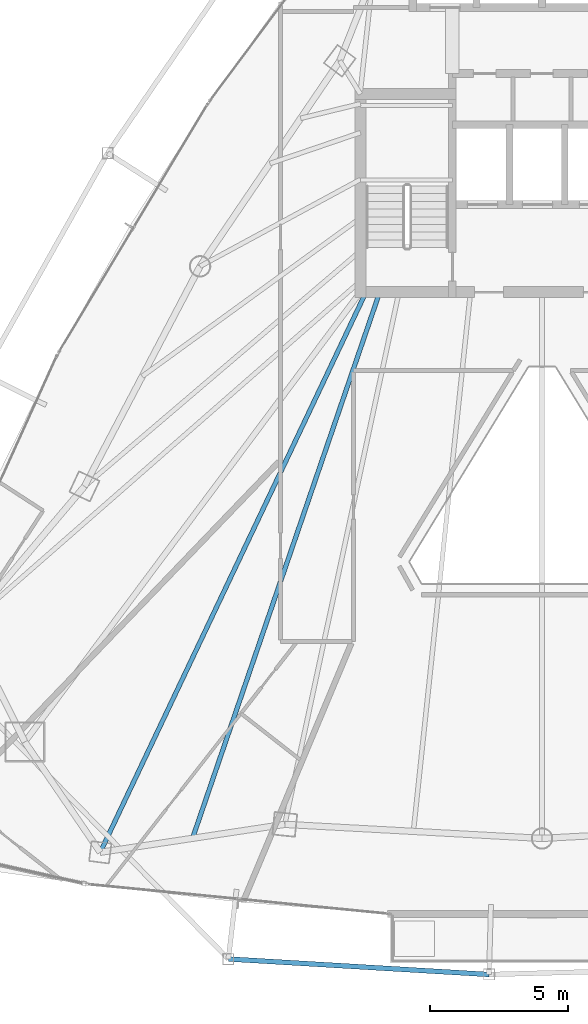
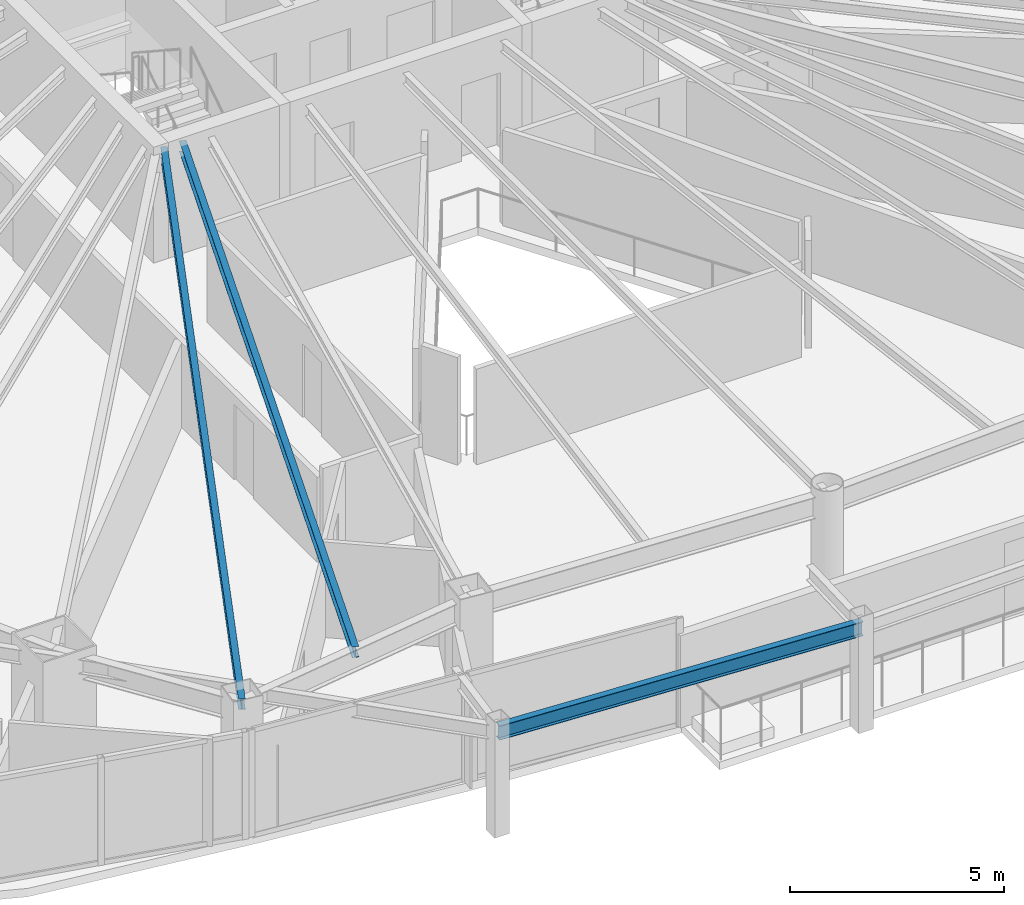
# One storey, part 6 of 30: 3 beams.
"""IFC4 building model written with IfcOpenShell, lengths in metres."""

from ifc_helpers import new_model, si_unit, direction, frame, origin, origin_2d, place, context, subcontext, project, spatial, i_section, extrude, material, material_profile, profile_set, type_object, element, save


model = new_model("IFC4")

# Units and contexts
model_context = context("Model", 3, precision=1e-05, world=origin(), true_north=direction((0.0, 1.0)))
body_context = subcontext(model_context, "Body", "Model", "MODEL_VIEW")
ifc_project = project(units=[si_unit("LENGTHUNIT", "METRE"), si_unit("AREAUNIT", "SQUARE_METRE"), si_unit("VOLUMEUNIT", "CUBIC_METRE"), si_unit("PLANEANGLEUNIT", "RADIAN"), si_unit("MASSUNIT", "GRAM", prefix="KILO")], contexts=[model_context])

# Site, building, storey
site_placement = place(None, origin())
site = spatial("IfcSite", under=ifc_project, at=site_placement, CompositionType="ELEMENT")
building_placement = place(site_placement, origin())
building = spatial("IfcBuilding", under=site, at=building_placement, Name="Orvanel Arch Residences", CompositionType="ELEMENT")
storey_placement = place(building_placement, frame((0.0, 0.0, 180.35009765625)))
storey = spatial("IfcBuildingStorey", under=building, at=storey_placement, Name="L51", CompositionType="ELEMENT", Elevation=180.35009765625)

# Beams
ifc_material = material(Name="Structural steel AS/NZS 3679.1 Grade 300 (300 MPa)", Category="steel")
ifc_material_profile_1 = material_profile(ifc_material, i_section(OverallWidth=0.1650390625, OverallDepth=0.303955078125, WebThickness=0.006103515625, FlangeThickness=0.01025390625, at=origin_2d()), Name="310UB40.4")
ifc_profile_set_1 = profile_set([ifc_material_profile_1], Name="Structural steel AS/NZS 3679.1 Grade 300 (300 MPa)")
beam_type_1 = type_object("IfcBeamType", Name="BJ-310UB", PredefinedType="JOIST", material=ifc_profile_set_1)
beam_1_placement = place(storey_placement, frame((26.60009765625, 26.699951171875, 2.907958984375), z_axis=(-0.428614365266, -0.903487534993, 0.0), x_axis=(0.903487534993, -0.428614365266, 0.0)))
element("IfcBeam", 1, at=beam_1_placement, inside=storey, type_object=beam_type_1, Name="L51 MSW Wing Floor Joist", PredefinedType="JOIST", context=body_context, shape_type="SweptSolid", body=[
    extrude(i_section(OverallWidth=0.1650390625, OverallDepth=0.303955078125, WebThickness=0.006103515625, FlangeThickness=0.01025390625, at=origin_2d()), origin(), (0.0, 0.0, 1.0), 22.535888671875),
])
beam_2_placement = place(storey_placement, frame((27.10009765625, 26.699951171875, 2.907958984375), z_axis=(-0.324257108963, -0.945968988544, 0.0), x_axis=(0.945968988544, -0.324257108963, 0.0)))
element("IfcBeam", 2, at=beam_2_placement, inside=storey, type_object=beam_type_1, Name="L51 JADD1 Wing Floor Joist", PredefinedType="JOIST", context=body_context, shape_type="SweptSolid", body=[
    extrude(i_section(OverallWidth=0.1650390625, OverallDepth=0.303955078125, WebThickness=0.006103515625, FlangeThickness=0.01025390625, at=origin_2d()), origin(), (0.0, 0.0, 1.0), 20.987060546875),
])
ifc_material_profile_2 = material_profile(ifc_material, i_section(OverallWidth=0.177978515625, OverallDepth=0.406005859375, WebThickness=0.0078125, FlangeThickness=0.0126953125, at=origin_2d()), Name="410UB59.7")
ifc_profile_set_2 = profile_set([ifc_material_profile_2], Name="Structural steel AS/NZS 3679.1 Grade 300 (300 MPa)")
beam_type_2 = type_object("IfcBeamType", Name="OB-410UB-EXT", PredefinedType="SPANDREL", material=ifc_profile_set_2)
beam_3_placement = place(storey_placement, frame((21.59912109375, 2.4599609375, 2.85693359375), z_axis=(0.998239339753, -0.05931458985, 0.0), x_axis=(0.05931458985, 0.998239339753, 0.0)))
element("IfcBeam", 3, at=beam_3_placement, inside=storey, type_object=beam_type_2, Name="L51 Outer Perimeter Floor Ring Beam 05", PredefinedType="SPANDREL", context=body_context, shape_type="SweptSolid", body=[
    extrude(i_section(OverallWidth=0.177978515625, OverallDepth=0.406005859375, WebThickness=0.0078125, FlangeThickness=0.0126953125, at=origin_2d()), origin(), (0.0, 0.0, 1.0), 9.491455078125),
])

save(model, "model.ifc")
